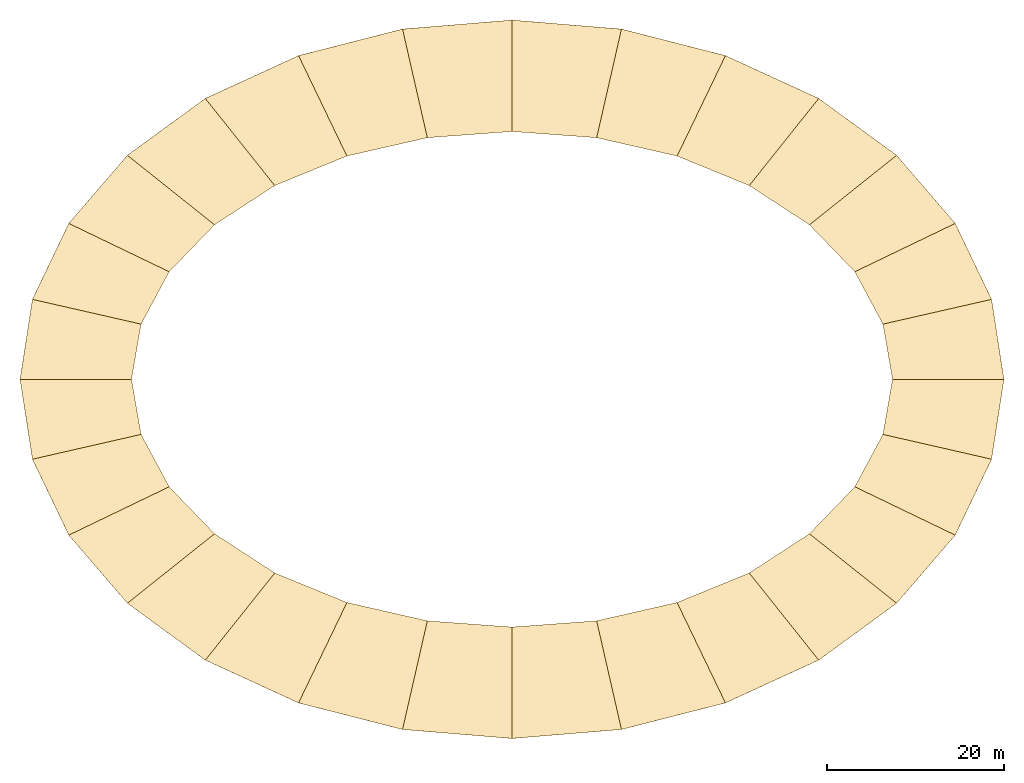
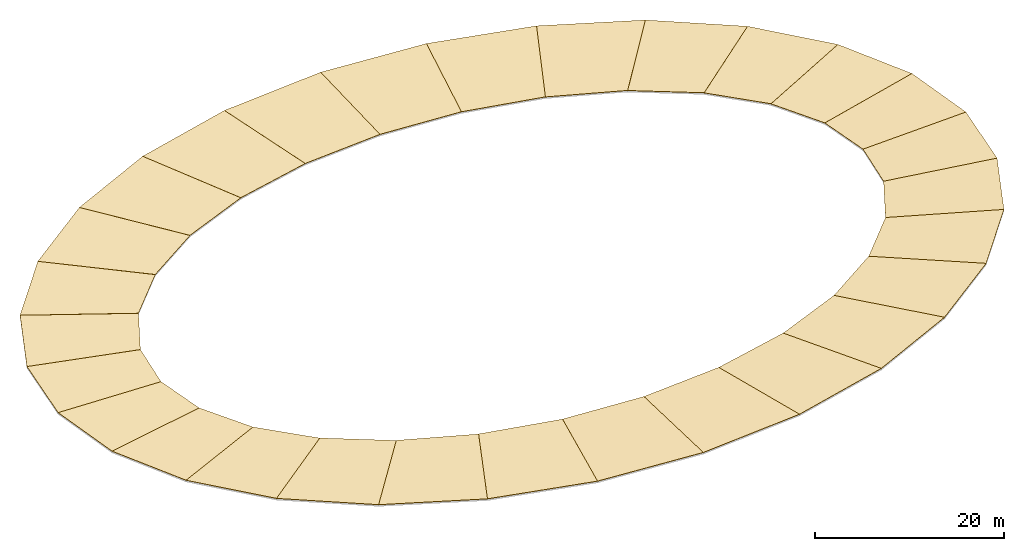
# One storey, part 2 of 2: 28 coverings.
"""IFC4 building model written with IfcOpenShell, lengths in metres."""

from ifc_helpers import new_model, si_unit, direction, frame, origin, place, context, subcontext, project, spatial, polyline, outline, extrude, material, layer, layer_set, type_object, element, save


model = new_model("IFC4")

# Units and contexts
model_context = context("Model", 3, precision=1e-05, world=origin(), true_north=direction((0.0, 1.0)))
body_context = subcontext(model_context, "Body", "Model", "MODEL_VIEW")
ifc_project = project(units=[si_unit("LENGTHUNIT", "METRE"), si_unit("AREAUNIT", "SQUARE_METRE"), si_unit("VOLUMEUNIT", "CUBIC_METRE"), si_unit("PLANEANGLEUNIT", "RADIAN"), si_unit("MASSUNIT", "GRAM", prefix="KILO")], contexts=[model_context])

# Site, building, storey
site_placement = place(None, origin())
site = spatial("IfcSite", under=ifc_project, at=site_placement, CompositionType="ELEMENT")
building_placement = place(site_placement, origin())
building = spatial("IfcBuilding", under=site, at=building_placement, Name="Zevraka Park Crest Stadium", CompositionType="ELEMENT")
storey_placement = place(building_placement, frame((0.0, 0.0, 37.0)))
storey = spatial("IfcBuildingStorey", under=building, at=storey_placement, Name="ROOF-2", CompositionType="ELEMENT", Elevation=37.0)

# Coverings
ifc_material = material(Name="Insulated standing-seam acoustic aluminium roofing", Category="aluminium")
ifc_layer = layer(ifc_material, 0.06005859375)
ifc_layer_set = layer_set([ifc_layer], Name="Insulated standing-seam acoustic aluminium roofing")
covering_type = type_object("IfcCoveringType", Name="RCV01", PredefinedType="ROOFING", material=ifc_layer_set)
covering_1_placement = place(storey_placement, frame((167.60009765625, 92.0, 2.10009765625), z_axis=(-0.031585536186, -0.004875029451, 0.999489163519), x_axis=(-0.152506770896, 0.988302425794, 9.9581e-07)))
element("IfcCovering", 1, at=covering_1_placement, inside=storey, type_object=covering_type, Name="Canopy Acoustic Standing-Seam Roofing INNER-01", PredefinedType="ROOFING", context=body_context, shape_type="SweptSolid", body=[
    extrude(outline(polyline([(0.0, 0.0), (9.140861407095617, 0.0), (8.244053884635429, 12.574139539713032), (1.9215998100070513, 12.459071918428958), (0.0, 0.0)])), origin(), (0.0, 0.0, -1.0), 0.06005859375),
])
covering_2_placement = place(storey_placement, frame((166.2060546875, 101.033935546875, 2.10009765625), z_axis=(-0.028974255212, -0.01388155298, 0.999483764261), x_axis=(-0.432106234298, 0.901822711113, -1.257217e-06)))
element("IfcCovering", 2, at=covering_2_placement, inside=storey, type_object=covering_type, Name="Canopy Acoustic Standing-Seam Roofing INNER-02", PredefinedType="ROOFING", context=body_context, shape_type="SweptSolid", body=[
    extrude(outline(polyline([(0.0, 0.0), (9.516317686847113, 0.0), (9.491308360223696, 12.606387970841228), (2.7801759439905784, 12.295463522340926), (0.0, 0.0)])), origin(), (0.0, 0.0, -1.0), 0.06005859375),
])
covering_3_placement = place(storey_placement, frame((162.093994140625, 109.615966796875, 2.10009765625), z_axis=(-0.024488024276, -0.021065281438, 0.999478159134), x_axis=(-0.652251112713, 0.758002959058, -4.797923e-06)))
element("IfcCovering", 3, at=covering_3_placement, inside=storey, type_object=covering_type, Name="Canopy Acoustic Standing-Seam Roofing INNER-03", PredefinedType="ROOFING", context=body_context, shape_type="SweptSolid", body=[
    extrude(outline(polyline([(0.0, 0.0), (10.155631956105141, -8.881784197001252e-16), (10.626169353451408, 12.597775731739489), (3.26035637358262, 12.177124615760096), (0.0, 0.0)])), origin(), (0.0, 0.0, -1.0), 0.06005859375),
])
covering_4_placement = place(storey_placement, frame((155.469970703125, 117.31396484375, 2.10009765625), z_axis=(-0.019067147466, -0.026105927475, 0.999477325625), x_axis=(-0.807639211202, 0.58967694927, -5.315046e-06)))
element("IfcCovering", 4, at=covering_4_placement, inside=storey, type_object=covering_type, Name="Canopy Acoustic Standing-Seam Roofing INNER-04", PredefinedType="ROOFING", context=body_context, shape_type="SweptSolid", body=[
    extrude(outline(polyline([(0.0, 0.0), (10.900850095823682, 0.0), (11.436823771963306, 12.594978356204868), (3.3236391249084676, 12.160084222730813), (0.0, 0.0)])), origin(), (0.0, 0.0, -1.0), 0.06005859375),
])
covering_5_placement = place(storey_placement, frame((146.666015625, 123.741943359375, 2.10009765625), z_axis=(-0.013429831003, -0.029286203319, 0.999480844206), x_axis=(-0.908888113837, 0.417040041809, 7.309482e-06)))
element("IfcCovering", 5, at=covering_5_placement, inside=storey, type_object=covering_type, Name="Canopy Acoustic Standing-Seam Roofing INNER-05", PredefinedType="ROOFING", context=body_context, shape_type="SweptSolid", body=[
    extrude(outline(polyline([(0.0, 0.0), (11.598780054651233, 0.0), (11.833445951496962, 12.604259878077489), (3.031992498856168, 12.235906092694668), (0.0, 0.0)])), origin(), (0.0, 0.0, -1.0), 0.06005859375),
])
covering_6_placement = place(storey_placement, frame((136.1240234375, 128.5791015625, 2.10009765625), z_axis=(-0.007937627947, -0.031064048694, 0.99948587731), x_axis=(-0.968869652971, 0.247571394859, 4.3053e-08)))
element("IfcCovering", 6, at=covering_6_placement, inside=storey, type_object=covering_type, Name="Canopy Acoustic Standing-Seam Roofing INNER-06", PredefinedType="ROOFING", context=body_context, shape_type="SweptSolid", body=[
    extrude(outline(polyline([(0.0, 0.0), (12.129550237344574, 0.0), (11.805066145741675, 12.60219049555967), (2.48640706810382, 12.358494270000104), (0.0, 0.0)])), origin(), (0.0, 0.0, -1.0), 0.06005859375),
])
covering_7_placement = place(storey_placement, frame((124.3720703125, 131.58203125, 2.10009765625), z_axis=(-0.002618365504, -0.031839640538, 0.999489560452), x_axis=(-0.996631487268, 0.082010234627, 1.631717e-06)))
element("IfcCovering", 7, at=covering_7_placement, inside=storey, type_object=covering_type, Name="Canopy Acoustic Standing-Seam Roofing INNER-07", PredefinedType="ROOFING", context=body_context, shape_type="SweptSolid", body=[
    extrude(outline(polyline([(0.0, 0.0), (12.413886700971936, 0.0), (11.380549080943359, 12.564066615903524), (1.7871008328674856, 12.478880328909614), (0.0, 0.0)])), origin(), (0.0, 0.0, -1.0), 0.06005859375),
])
covering_8_placement = place(storey_placement, frame((112.0, 132.60009765625, 2.10009765625), z_axis=(0.002618365504, -0.031839640538, 0.999489560452), x_axis=(-0.996631487268, -0.082010234627, -1.631717e-06)))
element("IfcCovering", 8, at=covering_8_placement, inside=storey, type_object=covering_type, Name="Canopy Acoustic Standing-Seam Roofing INNER-08", PredefinedType="ROOFING", context=body_context, shape_type="SweptSolid", body=[
    extrude(outline(polyline([(0.0, 0.0), (12.413886700971936, 0.0), (10.62678586810445, 12.478880328909613), (1.0333376200285787, 12.564066615903524), (0.0, 0.0)])), origin(), (0.0, 0.0, -1.0), 0.06005859375),
])
covering_9_placement = place(storey_placement, frame((99.6279296875, 131.58203125, 2.10009765625), z_axis=(0.007937627947, -0.031064048694, 0.99948587731), x_axis=(-0.968869652971, -0.247571394859, -4.3053e-08)))
element("IfcCovering", 9, at=covering_9_placement, inside=storey, type_object=covering_type, Name="Canopy Acoustic Standing-Seam Roofing INNER-09", PredefinedType="ROOFING", context=body_context, shape_type="SweptSolid", body=[
    extrude(outline(polyline([(0.0, 0.0), (12.129550237344574, 0.0), (9.643143169240755, 12.358494270000104), (0.32448409160290076, 12.60219049555967), (0.0, 0.0)])), origin(), (0.0, 0.0, -1.0), 0.06005859375),
])
covering_10_placement = place(storey_placement, frame((87.8759765625, 128.5791015625, 2.10009765625), z_axis=(0.013429831003, -0.029286203319, 0.999480844206), x_axis=(-0.908888113837, -0.417040041809, -7.309482e-06)))
element("IfcCovering", 10, at=covering_10_placement, inside=storey, type_object=covering_type, Name="Canopy Acoustic Standing-Seam Roofing INNER-10", PredefinedType="ROOFING", context=body_context, shape_type="SweptSolid", body=[
    extrude(outline(polyline([(0.0, 0.0), (11.598780054651233, 0.0), (8.566787555795065, 12.235906092694668), (-0.23466589684573116, 12.604259878077489), (0.0, 0.0)])), origin(), (0.0, 0.0, -1.0), 0.06005859375),
])
covering_11_placement = place(storey_placement, frame((77.333984375, 123.741943359375, 2.10009765625), z_axis=(0.019067147466, -0.026105927475, 0.999477325625), x_axis=(-0.807639211202, -0.58967694927, 5.315046e-06)))
element("IfcCovering", 11, at=covering_11_placement, inside=storey, type_object=covering_type, Name="Canopy Acoustic Standing-Seam Roofing INNER-11", PredefinedType="ROOFING", context=body_context, shape_type="SweptSolid", body=[
    extrude(outline(polyline([(0.0, 0.0), (10.900850095823682, 0.0), (7.577210970915214, 12.160084222730813), (-0.535973676139624, 12.59497835620487), (0.0, 0.0)])), origin(), (0.0, 0.0, -1.0), 0.06005859375),
])
covering_12_placement = place(storey_placement, frame((68.530029296875, 117.31396484375, 2.10009765625), z_axis=(0.024488024276, -0.021065281438, 0.999478159134), x_axis=(-0.652251112713, -0.758002959058, 4.797923e-06)))
element("IfcCovering", 12, at=covering_12_placement, inside=storey, type_object=covering_type, Name="Canopy Acoustic Standing-Seam Roofing INNER-12", PredefinedType="ROOFING", context=body_context, shape_type="SweptSolid", body=[
    extrude(outline(polyline([(0.0, 0.0), (10.155631956105141, 8.881784197001252e-16), (6.895275582522522, 12.177124615760096), (-0.4705373973462659, 12.59777573173949), (0.0, 0.0)])), origin(), (0.0, 0.0, -1.0), 0.06005859375),
])
covering_13_placement = place(storey_placement, frame((61.906005859375, 109.615966796875, 2.10009765625), z_axis=(0.028974255212, -0.01388155298, 0.999483764261), x_axis=(-0.432106234298, -0.901822711113, 1.257217e-06)))
element("IfcCovering", 13, at=covering_13_placement, inside=storey, type_object=covering_type, Name="Canopy Acoustic Standing-Seam Roofing INNER-13", PredefinedType="ROOFING", context=body_context, shape_type="SweptSolid", body=[
    extrude(outline(polyline([(0.0, 0.0), (9.516317686847113, 0.0), (6.736141742856535, 12.295463522340926), (0.025009326623416418, 12.606387970841228), (0.0, 0.0)])), origin(), (0.0, 0.0, -1.0), 0.06005859375),
])
covering_14_placement = place(storey_placement, frame((57.7939453125, 101.033935546875, 2.10009765625), z_axis=(0.031585536186, -0.004875029451, 0.999489163519), x_axis=(-0.152506770896, -0.988302425794, -9.9581e-07)))
element("IfcCovering", 14, at=covering_14_placement, inside=storey, type_object=covering_type, Name="Canopy Acoustic Standing-Seam Roofing INNER-14", PredefinedType="ROOFING", context=body_context, shape_type="SweptSolid", body=[
    extrude(outline(polyline([(0.0, 0.0), (9.140861407095617, 0.0), (7.2192615970885665, 12.459071918428958), (0.8968075224601902, 12.574139539713034), (0.0, 0.0)])), origin(), (0.0, 0.0, -1.0), 0.06005859375),
])
covering_15_placement = place(storey_placement, frame((56.39990234375, 92.0, 2.10009765625), z_axis=(0.031585536186, 0.004875029451, 0.999489163519), x_axis=(0.152506770896, -0.988302425794, 9.9581e-07)))
element("IfcCovering", 15, at=covering_15_placement, inside=storey, type_object=covering_type, Name="Canopy Acoustic Standing-Seam Roofing INNER-15", PredefinedType="ROOFING", context=body_context, shape_type="SweptSolid", body=[
    extrude(outline(polyline([(0.0, 0.0), (9.140861407095617, 0.0), (8.244053884635429, 12.574139539713032), (1.9215998100070513, 12.459071918428958), (0.0, 0.0)])), origin(), (0.0, 0.0, -1.0), 0.06005859375),
])
covering_16_placement = place(storey_placement, frame((57.7939453125, 82.966064453125, 2.10009765625), z_axis=(0.028974255212, 0.01388155298, 0.999483764261), x_axis=(0.432106234298, -0.901822711113, -1.257217e-06)))
element("IfcCovering", 16, at=covering_16_placement, inside=storey, type_object=covering_type, Name="Canopy Acoustic Standing-Seam Roofing INNER-16", PredefinedType="ROOFING", context=body_context, shape_type="SweptSolid", body=[
    extrude(outline(polyline([(0.0, 0.0), (9.516317686847113, 0.0), (9.491308360223696, 12.606387970841228), (2.7801759439905784, 12.295463522340926), (0.0, 0.0)])), origin(), (0.0, 0.0, -1.0), 0.06005859375),
])
covering_17_placement = place(storey_placement, frame((61.906005859375, 74.384033203125, 2.10009765625), z_axis=(0.024488024276, 0.021065281438, 0.999478159134), x_axis=(0.652251112713, -0.758002959058, -4.797923e-06)))
element("IfcCovering", 17, at=covering_17_placement, inside=storey, type_object=covering_type, Name="Canopy Acoustic Standing-Seam Roofing INNER-17", PredefinedType="ROOFING", context=body_context, shape_type="SweptSolid", body=[
    extrude(outline(polyline([(0.0, 0.0), (10.155631956105141, -8.881784197001252e-16), (10.626169353451408, 12.597775731739489), (3.26035637358262, 12.177124615760096), (0.0, 0.0)])), origin(), (0.0, 0.0, -1.0), 0.06005859375),
])
covering_18_placement = place(storey_placement, frame((68.530029296875, 66.68603515625, 2.10009765625), z_axis=(0.019067147466, 0.026105927475, 0.999477325625), x_axis=(0.807639211202, -0.58967694927, -5.315046e-06)))
element("IfcCovering", 18, at=covering_18_placement, inside=storey, type_object=covering_type, Name="Canopy Acoustic Standing-Seam Roofing INNER-18", PredefinedType="ROOFING", context=body_context, shape_type="SweptSolid", body=[
    extrude(outline(polyline([(0.0, 0.0), (10.900850095823682, 0.0), (11.436823771963306, 12.594978356204868), (3.3236391249084676, 12.160084222730813), (0.0, 0.0)])), origin(), (0.0, 0.0, -1.0), 0.06005859375),
])
covering_19_placement = place(storey_placement, frame((77.333984375, 60.258056640625, 2.10009765625), z_axis=(0.013429831003, 0.029286203319, 0.999480844206), x_axis=(0.908888113837, -0.417040041809, 7.309482e-06)))
element("IfcCovering", 19, at=covering_19_placement, inside=storey, type_object=covering_type, Name="Canopy Acoustic Standing-Seam Roofing INNER-19", PredefinedType="ROOFING", context=body_context, shape_type="SweptSolid", body=[
    extrude(outline(polyline([(0.0, 0.0), (11.598780054651233, 0.0), (11.833445951496962, 12.604259878077489), (3.031992498856168, 12.235906092694668), (0.0, 0.0)])), origin(), (0.0, 0.0, -1.0), 0.06005859375),
])
covering_20_placement = place(storey_placement, frame((87.8759765625, 55.4208984375, 2.10009765625), z_axis=(0.007937627947, 0.031064048694, 0.99948587731), x_axis=(0.968869652971, -0.247571394859, 4.3053e-08)))
element("IfcCovering", 20, at=covering_20_placement, inside=storey, type_object=covering_type, Name="Canopy Acoustic Standing-Seam Roofing INNER-20", PredefinedType="ROOFING", context=body_context, shape_type="SweptSolid", body=[
    extrude(outline(polyline([(0.0, 0.0), (12.129550237344574, 0.0), (11.805066145741675, 12.60219049555967), (2.48640706810382, 12.358494270000104), (0.0, 0.0)])), origin(), (0.0, 0.0, -1.0), 0.06005859375),
])
covering_21_placement = place(storey_placement, frame((99.6279296875, 52.41796875, 2.10009765625), z_axis=(0.002618365504, 0.031839640538, 0.999489560452), x_axis=(0.996631487268, -0.082010234627, 1.631717e-06)))
element("IfcCovering", 21, at=covering_21_placement, inside=storey, type_object=covering_type, Name="Canopy Acoustic Standing-Seam Roofing INNER-21", PredefinedType="ROOFING", context=body_context, shape_type="SweptSolid", body=[
    extrude(outline(polyline([(0.0, 0.0), (12.413886700971936, 0.0), (11.380549080943359, 12.564066615903524), (1.7871008328674856, 12.478880328909614), (0.0, 0.0)])), origin(), (0.0, 0.0, -1.0), 0.06005859375),
])
covering_22_placement = place(storey_placement, frame((112.0, 51.39990234375, 2.10009765625), z_axis=(-0.002618365504, 0.031839640538, 0.999489560452), x_axis=(0.996631487268, 0.082010234627, -1.631717e-06)))
element("IfcCovering", 22, at=covering_22_placement, inside=storey, type_object=covering_type, Name="Canopy Acoustic Standing-Seam Roofing INNER-22", PredefinedType="ROOFING", context=body_context, shape_type="SweptSolid", body=[
    extrude(outline(polyline([(0.0, 0.0), (12.413886700971936, 0.0), (10.62678586810445, 12.478880328909613), (1.0333376200285787, 12.564066615903524), (0.0, 0.0)])), origin(), (0.0, 0.0, -1.0), 0.06005859375),
])
covering_23_placement = place(storey_placement, frame((124.3720703125, 52.41796875, 2.10009765625), z_axis=(-0.007937627947, 0.031064048694, 0.99948587731), x_axis=(0.968869652971, 0.247571394859, -4.3053e-08)))
element("IfcCovering", 23, at=covering_23_placement, inside=storey, type_object=covering_type, Name="Canopy Acoustic Standing-Seam Roofing INNER-23", PredefinedType="ROOFING", context=body_context, shape_type="SweptSolid", body=[
    extrude(outline(polyline([(0.0, 0.0), (12.129550237344574, 0.0), (9.643143169240755, 12.358494270000104), (0.32448409160290076, 12.60219049555967), (0.0, 0.0)])), origin(), (0.0, 0.0, -1.0), 0.06005859375),
])
covering_24_placement = place(storey_placement, frame((136.1240234375, 55.4208984375, 2.10009765625), z_axis=(-0.013429831003, 0.029286203319, 0.999480844206), x_axis=(0.908888113837, 0.417040041809, -7.309482e-06)))
element("IfcCovering", 24, at=covering_24_placement, inside=storey, type_object=covering_type, Name="Canopy Acoustic Standing-Seam Roofing INNER-24", PredefinedType="ROOFING", context=body_context, shape_type="SweptSolid", body=[
    extrude(outline(polyline([(0.0, 0.0), (11.598780054651233, 0.0), (8.566787555795065, 12.235906092694668), (-0.23466589684573116, 12.604259878077489), (0.0, 0.0)])), origin(), (0.0, 0.0, -1.0), 0.06005859375),
])
covering_25_placement = place(storey_placement, frame((146.666015625, 60.258056640625, 2.10009765625), z_axis=(-0.019067147466, 0.026105927475, 0.999477325625), x_axis=(0.807639211202, 0.58967694927, 5.315046e-06)))
element("IfcCovering", 25, at=covering_25_placement, inside=storey, type_object=covering_type, Name="Canopy Acoustic Standing-Seam Roofing INNER-25", PredefinedType="ROOFING", context=body_context, shape_type="SweptSolid", body=[
    extrude(outline(polyline([(0.0, 0.0), (10.900850095823682, 0.0), (7.577210970915214, 12.160084222730813), (-0.535973676139624, 12.59497835620487), (0.0, 0.0)])), origin(), (0.0, 0.0, -1.0), 0.06005859375),
])
covering_26_placement = place(storey_placement, frame((155.469970703125, 66.68603515625, 2.10009765625), z_axis=(-0.024488024276, 0.021065281438, 0.999478159134), x_axis=(0.652251112713, 0.758002959058, 4.797923e-06)))
element("IfcCovering", 26, at=covering_26_placement, inside=storey, type_object=covering_type, Name="Canopy Acoustic Standing-Seam Roofing INNER-26", PredefinedType="ROOFING", context=body_context, shape_type="SweptSolid", body=[
    extrude(outline(polyline([(0.0, 0.0), (10.155631956105141, 8.881784197001252e-16), (6.895275582522522, 12.177124615760096), (-0.4705373973462659, 12.59777573173949), (0.0, 0.0)])), origin(), (0.0, 0.0, -1.0), 0.06005859375),
])
covering_27_placement = place(storey_placement, frame((162.093994140625, 74.384033203125, 2.10009765625), z_axis=(-0.028974255212, 0.01388155298, 0.999483764261), x_axis=(0.432106234298, 0.901822711113, 1.257217e-06)))
element("IfcCovering", 27, at=covering_27_placement, inside=storey, type_object=covering_type, Name="Canopy Acoustic Standing-Seam Roofing INNER-27", PredefinedType="ROOFING", context=body_context, shape_type="SweptSolid", body=[
    extrude(outline(polyline([(0.0, 0.0), (9.516317686847113, 0.0), (6.736141742856535, 12.295463522340926), (0.025009326623416418, 12.606387970841228), (0.0, 0.0)])), origin(), (0.0, 0.0, -1.0), 0.06005859375),
])
covering_28_placement = place(storey_placement, frame((166.2060546875, 82.966064453125, 2.10009765625), z_axis=(-0.031585536186, 0.004875029451, 0.999489163519), x_axis=(0.152506770896, 0.988302425794, -9.9581e-07)))
element("IfcCovering", 28, at=covering_28_placement, inside=storey, type_object=covering_type, Name="Canopy Acoustic Standing-Seam Roofing INNER-28", PredefinedType="ROOFING", context=body_context, shape_type="SweptSolid", body=[
    extrude(outline(polyline([(0.0, 0.0), (9.140861407095617, 0.0), (7.2192615970885665, 12.459071918428958), (0.8968075224601902, 12.574139539713034), (0.0, 0.0)])), origin(), (0.0, 0.0, -1.0), 0.06005859375),
])

save(model, "model.ifc")
